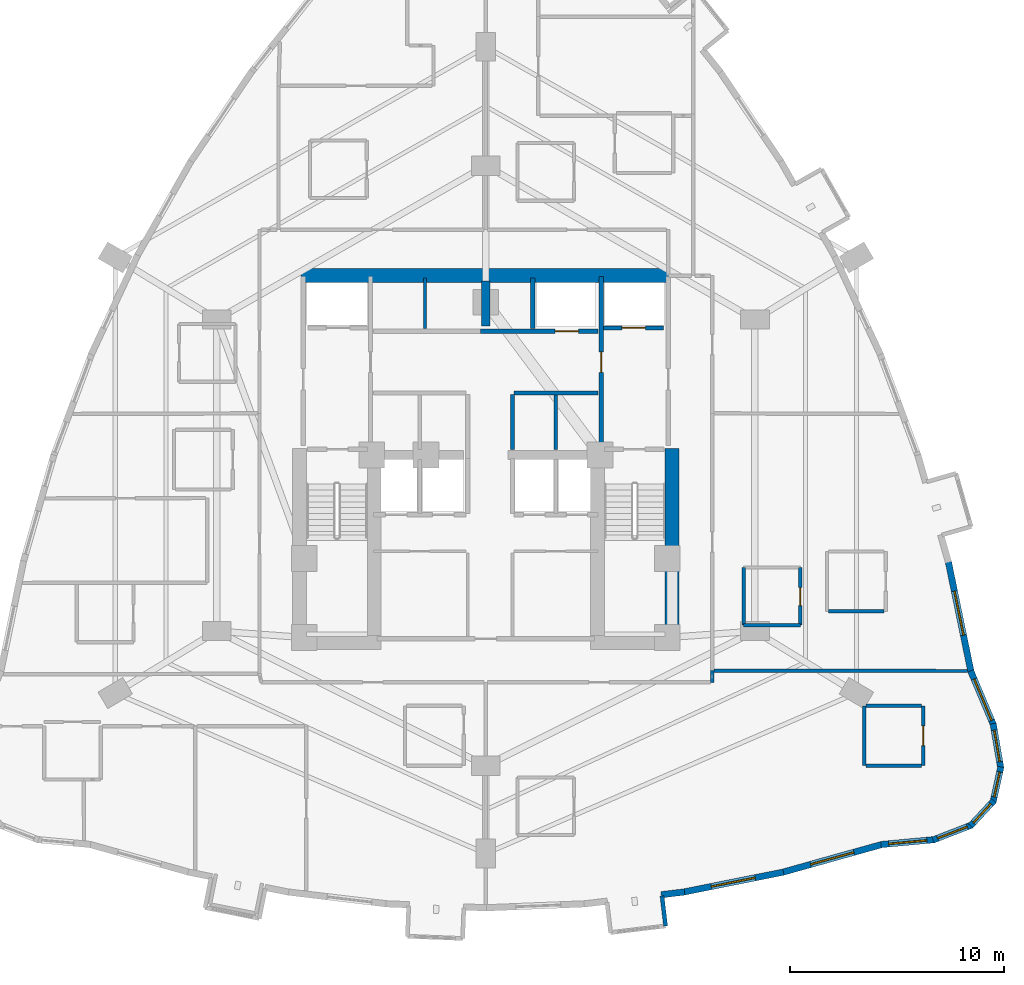
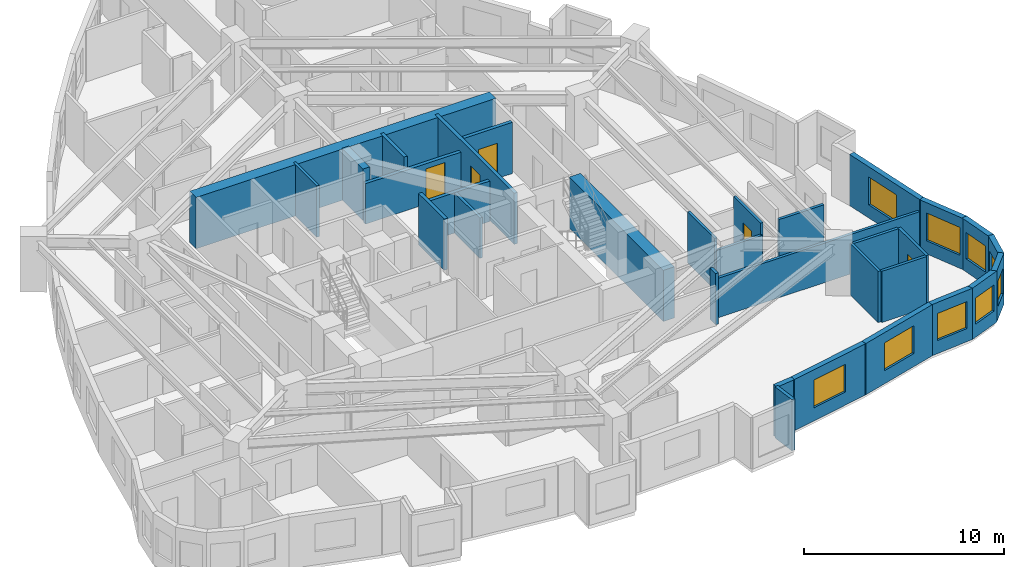
# One storey, part 10 of 14: 32 walls, 9 windows, 5 doors, 14 openings.
"""IFC4 building model written with IfcOpenShell, lengths in metres."""

from ifc_helpers import new_model, si_unit, direction, frame, frame_2d, origin, place, context, subcontext, project, spatial, rectangle, extrude, material, layer, layer_set, type_object, element, fill, save


model = new_model("IFC4")

# Units and contexts
model_context = context("Model", 3, precision=1e-05, world=origin(), true_north=direction((0.0, 1.0)))
body_context = subcontext(model_context, "Body", "Model", "MODEL_VIEW")
ifc_project = project(units=[si_unit("LENGTHUNIT", "METRE"), si_unit("AREAUNIT", "SQUARE_METRE"), si_unit("VOLUMEUNIT", "CUBIC_METRE"), si_unit("PLANEANGLEUNIT", "RADIAN"), si_unit("MASSUNIT", "GRAM", prefix="KILO")], contexts=[model_context])

# Site, building, storey
site_placement = place(None, origin())
site = spatial("IfcSite", under=ifc_project, at=site_placement, CompositionType="ELEMENT")
building_placement = place(site_placement, origin())
building = spatial("IfcBuilding", under=site, at=building_placement, Name="Miruveldt Soraemaru", CompositionType="ELEMENT")
storey_placement = place(building_placement, frame((0.0, 0.0, 80.199951171875)))
storey = spatial("IfcBuildingStorey", under=building, at=storey_placement, Name="L22", CompositionType="ELEMENT", Elevation=80.199951171875)

# Walls
ifc_material_1 = material(Name="White powder-coated aluminium EN AW-6060 T6", Category="aluminium")
ifc_layer_1 = layer(ifc_material_1, 0.18994140625, Name="White powder-coated aluminium EN AW-6060 T6", Category="aluminium")
ifc_layer_set_1 = layer_set([ifc_layer_1], Name="White powder-coated aluminium EN AW-6060 T6")
wall_type_1 = type_object("IfcWallType", Name="WALL-BAY-ALU190", PredefinedType="SOLIDWALL", material=ifc_layer_set_1)
wall_1_placement = place(storey_placement, frame((52.42138671875, 21.987060546875, 0.0), z_axis=(0.0, 0.0, 1.0), x_axis=(-0.119057405757, 0.992887372331, 0.0)))
element("IfcWall", 1, at=wall_1_placement, inside=storey, type_object=wall_type_1, Name="L22 Bay Window Side Cheek 3R", PredefinedType="SOLIDWALL", context=body_context, shape_type="SweptSolid", body=[
    extrude(rectangle(XDim=1.42529296875, YDim=0.18994140625, at=frame_2d((0.712646484375, 0.0))), origin(), (0.0, 0.0, 1.0), 3.125),
])
ifc_material_2 = material(Name="Concrete C70/85 (70 MPa)", Category="concrete")
ifc_layer_2 = layer(ifc_material_2, 0.5, Name="Concrete C70/85 (70 MPa)", Category="concrete")
ifc_layer_set_2 = layer_set([ifc_layer_2], Name="Concrete C70/85 (70 MPa)")
wall_type_2 = type_object("IfcWallType", Name="WALL-BW-500", PredefinedType="SHEAR", material=ifc_layer_set_2)
wall_2_placement = place(storey_placement, frame((44.0, 50.10009765625, 0.0), z_axis=(0.0, 0.0, 1.0), x_axis=(0.0, 1.0, 0.0)))
element("IfcWall", 2, at=wall_2_placement, inside=storey, type_object=wall_type_2, Name="L22 Core Buttress Shear Wall BN", PredefinedType="SHEAR", context=body_context, shape_type="SweptSolid", body=[
    extrude(rectangle(XDim=2.099853515625, YDim=0.39990234375, at=frame_2d((1.0498046875, 0.0))), origin(), (0.0, 0.0, 1.0), 3.125),
])
ifc_material_3 = material(Name="Concrete C80/95 (80 MPa)", Category="concrete")
ifc_layer_3 = layer(ifc_material_3, 0.64990234375, Name="Concrete C80/95 (80 MPa)", Category="concrete")
ifc_layer_set_3 = layer_set([ifc_layer_3], Name="Concrete C80/95 (80 MPa)")
wall_type_3 = type_object("IfcWallType", Name="WALL-CW-650", PredefinedType="SHEAR", material=ifc_layer_set_3)
wall_3_placement = place(storey_placement, frame((35.35009765625, 52.449951171875, 0.0), z_axis=(0.0, 0.0, 1.0), x_axis=(1.0, 0.0, 0.0)))
element("IfcWall", 3, at=wall_3_placement, inside=storey, type_object=wall_type_3, Name="L22 Central Core Shear Wall N", PredefinedType="SHEAR", context=body_context, shape_type="SweptSolid", body=[
    extrude(rectangle(XDim=17.2998046875, YDim=0.64990234375, at=frame_2d((8.64990234375, 0.0))), origin(), (0.0, 0.0, 1.0), 3.125),
])
wall_4_placement = place(storey_placement, frame((52.72509765625, 34.949951171875, 0.0), z_axis=(0.0, 0.0, 1.0), x_axis=(0.0, 1.0, 0.0)))
element("IfcWall", 4, at=wall_4_placement, inside=storey, type_object=wall_type_3, Name="L22 Central Core Shear Wall E1", PredefinedType="SHEAR", context=body_context, shape_type="SweptSolid", body=[
    extrude(rectangle(XDim=9.400146484375, YDim=0.64990234375, at=frame_2d((4.7001953125, 0.0))), origin(), (0.0, 0.0, 1.0), 3.125),
])
ifc_material_4 = material(Name="Precast concrete C45/55 (45 MPa)", Category="concrete")
ifc_layer_4 = layer(ifc_material_4, 0.300048828125, Name="Precast concrete C45/55 (45 MPa)", Category="concrete")
ifc_layer_set_4 = layer_set([ifc_layer_4], Name="Precast concrete C45/55 (45 MPa)")
wall_type_4 = type_object("IfcWallType", Name="WALL-EXT-PC300", PredefinedType="SOLIDWALL", material=ifc_layer_set_4)
wall_5_placement = place(storey_placement, frame((52.21533203125, 23.452880859375, 0.0), z_axis=(0.0, 0.0, 1.0), x_axis=(0.992870535119, 0.119197736946, 0.0)))
element("IfcWall", 5, at=wall_5_placement, inside=storey, type_object=wall_type_4, Name="L22 Precast Pier Wall 26B", PredefinedType="SOLIDWALL", context=body_context, shape_type="SweptSolid", body=[
    extrude(rectangle(XDim=1.099853515625, YDim=0.300048828125, at=frame_2d((0.5498046875, 0.0))), origin(), (0.0, 0.0, 1.0), 3.125),
])

# Wall, opening, window
wall_6_placement = place(storey_placement, frame((53.23828125, 23.572998046875, 0.0), z_axis=(0.0, 0.0, 1.0), x_axis=(0.980582632713, 0.196106349773, 0.0)))
wall_6 = element("IfcWall", 6, at=wall_6_placement, inside=storey, type_object=wall_type_4, Name="L22 Precast Concrete Facade Wall 27", PredefinedType="SOLIDWALL", context=body_context, shape_type="SweptSolid", body=[
    extrude(rectangle(XDim=4.798095703125, YDim=0.300048828125, at=frame_2d((2.39892578125, 0.0))), origin(), (0.0, 0.0, 1.0), 3.125),
])
opening_1_placement = place(wall_6_placement, frame((1.34912109375, 0.0, 0.800048828125)))
opening_1 = element("IfcOpeningElement", 7, at=opening_1_placement, cuts=wall_6, Name="Opening WN-1", PredefinedType="OPENING", context=body_context, shape_type="SweptSolid", body=[
    extrude(rectangle(XDim=2.10009765625, YDim=1.699951171875, at=frame_2d((1.050048828125, 0.85009765625))), frame((0.0, 0.16015625, 0.0), z_axis=(0.0, -1.0, 0.0), x_axis=(1.0, 0.0, 0.0)), (0.0, 0.0, 1.0), 0.320068359375),
])
ifc_material_5 = material(Name="Triple low-e insulated glazing", Category="glass")
window_type_1 = type_object("IfcWindowType", Name="WIN-PUNCH-2100x1700", PartitioningType="SINGLE_PANEL", PredefinedType="WINDOW", material=ifc_material_5)
window_1_placement = place(opening_1_placement, origin())
window_1 = element("IfcWindow", 8, at=window_1_placement, inside=storey, type_object=window_type_1, Name="L22 Punched Triple-Glazed Window 27.1", OverallHeight=1.699951171875, OverallWidth=2.10009765625, PartitioningType="SINGLE_PANEL", PredefinedType="WINDOW", context=body_context, shape_type="SweptSolid", body=[
    extrude(rectangle(XDim=2.10009765625, YDim=1.699951171875, at=frame_2d((1.050048828125, 0.85009765625))), frame((0.0, 0.030029296875, 0.0), z_axis=(0.0, -1.0, 0.0), x_axis=(1.0, 0.0, 0.0)), (0.0, 0.0, 1.0), 0.06005859375),
])
fill(opening_1, window_1)

wall_7_placement = place(storey_placement, frame((57.875244140625, 24.497802734375, 0.0), z_axis=(0.0, 0.0, 1.0), x_axis=(0.962970248778, 0.269607677873, 0.0)))
wall_7 = element("IfcWall", 9, at=wall_7_placement, inside=storey, type_object=wall_type_4, Name="L22 Precast Concrete Facade Wall 28", PredefinedType="SOLIDWALL", context=body_context, shape_type="SweptSolid", body=[
    extrude(rectangle(XDim=4.884521484375, YDim=0.300048828125, at=frame_2d((2.4423828125, 0.0))), origin(), (0.0, 0.0, 1.0), 3.125),
])
opening_2_placement = place(wall_7_placement, frame((1.39208984375, 0.0, 0.800048828125)))
opening_2 = element("IfcOpeningElement", 10, at=opening_2_placement, cuts=wall_7, Name="Opening WN-1", PredefinedType="OPENING", context=body_context, shape_type="SweptSolid", body=[
    extrude(rectangle(XDim=2.10009765625, YDim=1.699951171875, at=frame_2d((1.050048828125, 0.85009765625))), frame((0.0, 0.16015625, 0.0), z_axis=(0.0, -1.0, 0.0), x_axis=(1.0, 0.0, 0.0)), (0.0, 0.0, 1.0), 0.320068359375),
])
window_2_placement = place(opening_2_placement, origin())
window_2 = element("IfcWindow", 11, at=window_2_placement, inside=storey, type_object=window_type_1, Name="L22 Punched Triple-Glazed Window 28.1", OverallHeight=1.699951171875, OverallWidth=2.10009765625, PartitioningType="SINGLE_PANEL", PredefinedType="WINDOW", context=body_context, shape_type="SweptSolid", body=[
    extrude(rectangle(XDim=2.10009765625, YDim=1.699951171875, at=frame_2d((1.050048828125, 0.85009765625))), frame((0.0, 0.030029296875, 0.0), z_axis=(0.0, -1.0, 0.0), x_axis=(1.0, 0.0, 0.0)), (0.0, 0.0, 1.0), 0.06005859375),
])
fill(opening_2, window_2)

wall_8_placement = place(storey_placement, frame((62.51025390625, 25.802001953125, 0.0), z_axis=(0.0, 0.0, 1.0), x_axis=(0.995756157786, 0.092030833048, 0.0)))
wall_8 = element("IfcWall", 12, at=wall_8_placement, inside=storey, type_object=wall_type_4, Name="L22 Precast Concrete Facade Wall 29", PredefinedType="SOLIDWALL", context=body_context, shape_type="SweptSolid", body=[
    extrude(rectangle(XDim=2.517578125, YDim=0.300048828125, at=frame_2d((1.2587890625, 0.0))), origin(), (0.0, 0.0, 1.0), 3.125),
])
opening_3_placement = place(wall_8_placement, frame((0.35888671875, 0.0, 0.800048828125)))
opening_3 = element("IfcOpeningElement", 13, at=opening_3_placement, cuts=wall_8, Name="Opening WN-2", PredefinedType="OPENING", context=body_context, shape_type="SweptSolid", body=[
    extrude(rectangle(XDim=1.800048828125, YDim=1.64990234375, at=frame_2d((0.89990234375, 0.824951171875))), frame((0.0, 0.16015625, 0.0), z_axis=(0.0, -1.0, 0.0), x_axis=(1.0, 0.0, 0.0)), (0.0, 0.0, 1.0), 0.320068359375),
])
window_type_2 = type_object("IfcWindowType", Name="WIN-PUNCH-1800x1650", PartitioningType="SINGLE_PANEL", PredefinedType="WINDOW", material=ifc_material_5)
window_3_placement = place(opening_3_placement, origin())
window_3 = element("IfcWindow", 14, at=window_3_placement, inside=storey, type_object=window_type_2, Name="L22 Punched Triple-Glazed Window 29.1", OverallHeight=1.64990234375, OverallWidth=1.800048828125, PartitioningType="SINGLE_PANEL", PredefinedType="WINDOW", context=body_context, shape_type="SweptSolid", body=[
    extrude(rectangle(XDim=1.800048828125, YDim=1.64990234375, at=frame_2d((0.89990234375, 0.824951171875))), frame((0.0, 0.030029296875, 0.0), z_axis=(0.0, -1.0, 0.0), x_axis=(1.0, 0.0, 0.0)), (0.0, 0.0, 1.0), 0.06005859375),
])
fill(opening_3, window_3)

wall_9_placement = place(storey_placement, frame((64.94970703125, 26.017578125, 0.0), z_axis=(0.0, 0.0, 1.0), x_axis=(0.932226848531, 0.36187442971, 0.0)))
wall_9 = element("IfcWall", 15, at=wall_9_placement, inside=storey, type_object=wall_type_4, Name="L22 Precast Concrete Facade Wall 30", PredefinedType="SOLIDWALL", context=body_context, shape_type="SweptSolid", body=[
    extrude(rectangle(XDim=1.93701171875, YDim=0.300048828125, at=frame_2d((0.968505859375, 0.0))), origin(), (0.0, 0.0, 1.0), 3.125),
])
opening_4_placement = place(wall_9_placement, frame((0.218017578125, 0.0, 0.800048828125)))
opening_4 = element("IfcOpeningElement", 16, at=opening_4_placement, cuts=wall_9, Name="Opening WN-3", PredefinedType="OPENING", context=body_context, shape_type="SweptSolid", body=[
    extrude(rectangle(XDim=1.5, YDim=1.60009765625, at=frame_2d((0.75, 0.800048828125))), frame((0.0, 0.16015625, 0.0), z_axis=(0.0, -1.0, 0.0), x_axis=(1.0, 0.0, 0.0)), (0.0, 0.0, 1.0), 0.320068359375),
])
window_type_3 = type_object("IfcWindowType", Name="WIN-PUNCH-1500x1600", PartitioningType="SINGLE_PANEL", PredefinedType="WINDOW", material=ifc_material_5)
window_4_placement = place(opening_4_placement, origin())
window_4 = element("IfcWindow", 17, at=window_4_placement, inside=storey, type_object=window_type_3, Name="L22 Punched Triple-Glazed Window 30.1", OverallHeight=1.60009765625, OverallWidth=1.5, PartitioningType="SINGLE_PANEL", PredefinedType="WINDOW", context=body_context, shape_type="SweptSolid", body=[
    extrude(rectangle(XDim=1.5, YDim=1.60009765625, at=frame_2d((0.75, 0.800048828125))), frame((0.0, 0.030029296875, 0.0), z_axis=(0.0, -1.0, 0.0), x_axis=(1.0, 0.0, 0.0)), (0.0, 0.0, 1.0), 0.06005859375),
])
fill(opening_4, window_4)

wall_10_placement = place(storey_placement, frame((66.698974609375, 26.679931640625, 0.0), z_axis=(0.0, 0.0, 1.0), x_axis=(0.680153593671, 0.733069634493, 0.0)))
wall_10 = element("IfcWall", 18, at=wall_10_placement, inside=storey, type_object=wall_type_4, Name="L22 Precast Concrete Facade Wall 31", PredefinedType="SOLIDWALL", context=body_context, shape_type="SweptSolid", body=[
    extrude(rectangle(XDim=1.60546875, YDim=0.300048828125, at=frame_2d((0.802734375, 0.0))), origin(), (0.0, 0.0, 1.0), 3.125),
])
opening_5_placement = place(wall_10_placement, frame((0.202880859375, 0.0, 0.780029296875)))
opening_5 = element("IfcOpeningElement", 19, at=opening_5_placement, cuts=wall_10, Name="Opening WN-4", PredefinedType="OPENING", context=body_context, shape_type="SweptSolid", body=[
    extrude(rectangle(XDim=1.199951171875, YDim=1.550048828125, at=frame_2d((0.60009765625, 0.77490234375))), frame((0.0, 0.16015625, 0.0), z_axis=(0.0, -1.0, 0.0), x_axis=(1.0, 0.0, 0.0)), (0.0, 0.0, 1.0), 0.320068359375),
])
window_type_4 = type_object("IfcWindowType", Name="WIN-PUNCH-1200x1550", PartitioningType="SINGLE_PANEL", PredefinedType="WINDOW", material=ifc_material_5)
window_5_placement = place(opening_5_placement, origin())
window_5 = element("IfcWindow", 20, at=window_5_placement, inside=storey, type_object=window_type_4, Name="L22 Punched Triple-Glazed Window 31.1", OverallHeight=1.550048828125, OverallWidth=1.199951171875, PartitioningType="SINGLE_PANEL", PredefinedType="WINDOW", context=body_context, shape_type="SweptSolid", body=[
    extrude(rectangle(XDim=1.199951171875, YDim=1.550048828125, at=frame_2d((0.60009765625, 0.77490234375))), frame((0.0, 0.030029296875, 0.0), z_axis=(0.0, -1.0, 0.0), x_axis=(1.0, 0.0, 0.0)), (0.0, 0.0, 1.0), 0.06005859375),
])
fill(opening_5, window_5)

wall_11_placement = place(storey_placement, frame((67.759521484375, 27.797119140625, 0.0), z_axis=(0.0, 0.0, 1.0), x_axis=(0.215871143304, 0.976421860411, 0.0)))
wall_11 = element("IfcWall", 21, at=wall_11_placement, inside=storey, type_object=wall_type_4, Name="L22 Precast Concrete Facade Wall 32", PredefinedType="SOLIDWALL", context=body_context, shape_type="SweptSolid", body=[
    extrude(rectangle(XDim=1.68408203125, YDim=0.300048828125, at=frame_2d((0.842041015625, 0.0))), origin(), (0.0, 0.0, 1.0), 3.125),
])
opening_6_placement = place(wall_11_placement, frame((0.241943359375, 0.0, 0.780029296875)))
opening_6 = element("IfcOpeningElement", 22, at=opening_6_placement, cuts=wall_11, Name="Opening WN-4", PredefinedType="OPENING", context=body_context, shape_type="SweptSolid", body=[
    extrude(rectangle(XDim=1.199951171875, YDim=1.550048828125, at=frame_2d((0.60009765625, 0.77490234375))), frame((0.0, 0.16015625, 0.0), z_axis=(0.0, -1.0, 0.0), x_axis=(1.0, 0.0, 0.0)), (0.0, 0.0, 1.0), 0.320068359375),
])
window_6_placement = place(opening_6_placement, origin())
window_6 = element("IfcWindow", 23, at=window_6_placement, inside=storey, type_object=window_type_4, Name="L22 Punched Triple-Glazed Window 32.1", OverallHeight=1.550048828125, OverallWidth=1.199951171875, PartitioningType="SINGLE_PANEL", PredefinedType="WINDOW", context=body_context, shape_type="SweptSolid", body=[
    extrude(rectangle(XDim=1.199951171875, YDim=1.550048828125, at=frame_2d((0.60009765625, 0.77490234375))), frame((0.0, 0.030029296875, 0.0), z_axis=(0.0, -1.0, 0.0), x_axis=(1.0, 0.0, 0.0)), (0.0, 0.0, 1.0), 0.06005859375),
])
fill(opening_6, window_6)

wall_12_placement = place(storey_placement, frame((68.121337890625, 29.37255859375, 0.0), z_axis=(0.0, 0.0, 1.0), x_axis=(-0.169387729848, 0.985549489867, 0.0)))
wall_12 = element("IfcWall", 24, at=wall_12_placement, inside=storey, type_object=wall_type_4, Name="L22 Precast Concrete Facade Wall 33", PredefinedType="SOLIDWALL", context=body_context, shape_type="SweptSolid", body=[
    extrude(rectangle(XDim=2.1259765625, YDim=0.300048828125, at=frame_2d((1.06298828125, 0.0))), origin(), (0.0, 0.0, 1.0), 3.125),
])
opening_7_placement = place(wall_12_placement, frame((0.31298828125, 0.0, 0.800048828125)))
opening_7 = element("IfcOpeningElement", 25, at=opening_7_placement, cuts=wall_12, Name="Opening WN-3", PredefinedType="OPENING", context=body_context, shape_type="SweptSolid", body=[
    extrude(rectangle(XDim=1.5, YDim=1.60009765625, at=frame_2d((0.75, 0.800048828125))), frame((0.0, 0.16015625, 0.0), z_axis=(0.0, -1.0, 0.0), x_axis=(1.0, 0.0, 0.0)), (0.0, 0.0, 1.0), 0.320068359375),
])
window_7_placement = place(opening_7_placement, origin())
window_7 = element("IfcWindow", 26, at=window_7_placement, inside=storey, type_object=window_type_3, Name="L22 Punched Triple-Glazed Window 33.1", OverallHeight=1.60009765625, OverallWidth=1.5, PartitioningType="SINGLE_PANEL", PredefinedType="WINDOW", context=body_context, shape_type="SweptSolid", body=[
    extrude(rectangle(XDim=1.5, YDim=1.60009765625, at=frame_2d((0.75, 0.800048828125))), frame((0.0, 0.030029296875, 0.0), z_axis=(0.0, -1.0, 0.0), x_axis=(1.0, 0.0, 0.0)), (0.0, 0.0, 1.0), 0.06005859375),
])
fill(opening_7, window_7)

wall_13_placement = place(storey_placement, frame((67.78076171875, 31.40087890625, 0.0), z_axis=(0.0, 0.0, 1.0), x_axis=(-0.38859128496, 0.921410230708, 0.0)))
wall_13 = element("IfcWall", 27, at=wall_13_placement, inside=storey, type_object=wall_type_4, Name="L22 Precast Concrete Facade Wall 34", PredefinedType="SOLIDWALL", context=body_context, shape_type="SweptSolid", body=[
    extrude(rectangle(XDim=2.757568359375, YDim=0.300048828125, at=frame_2d((1.37890625, 0.0))), origin(), (0.0, 0.0, 1.0), 3.125),
])
opening_8_placement = place(wall_13_placement, frame((0.236083984375, 0.0, 0.800048828125)))
opening_8 = element("IfcOpeningElement", 28, at=opening_8_placement, cuts=wall_13, Name="Opening WN-1", PredefinedType="OPENING", context=body_context, shape_type="SweptSolid", body=[
    extrude(rectangle(XDim=2.10009765625, YDim=1.699951171875, at=frame_2d((1.050048828125, 0.85009765625))), frame((0.0, 0.16015625, 0.0), z_axis=(0.0, -1.0, 0.0), x_axis=(1.0, 0.0, 0.0)), (0.0, 0.0, 1.0), 0.320068359375),
])
window_8_placement = place(opening_8_placement, origin())
window_8 = element("IfcWindow", 29, at=window_8_placement, inside=storey, type_object=window_type_1, Name="L22 Punched Triple-Glazed Window 34.1", OverallHeight=1.699951171875, OverallWidth=2.10009765625, PartitioningType="SINGLE_PANEL", PredefinedType="WINDOW", context=body_context, shape_type="SweptSolid", body=[
    extrude(rectangle(XDim=2.10009765625, YDim=1.699951171875, at=frame_2d((1.050048828125, 0.85009765625))), frame((0.0, 0.030029296875, 0.0), z_axis=(0.0, -1.0, 0.0), x_axis=(1.0, 0.0, 0.0)), (0.0, 0.0, 1.0), 0.06005859375),
])
fill(opening_8, window_8)

wall_14_placement = place(storey_placement, frame((66.72998046875, 33.875244140625, 0.0), z_axis=(0.0, 0.0, 1.0), x_axis=(-0.20158951894, 0.979470094415, 0.0)))
wall_14 = element("IfcWall", 30, at=wall_14_placement, inside=storey, type_object=wall_type_4, Name="L22 Precast Concrete Facade Wall 35", PredefinedType="SOLIDWALL", context=body_context, shape_type="SweptSolid", body=[
    extrude(rectangle(XDim=5.323974609375, YDim=0.300048828125, at=frame_2d((2.662109375, 0.0))), origin(), (0.0, 0.0, 1.0), 3.125),
])
opening_9_placement = place(wall_14_placement, frame((1.778076171875, 0.0, 0.800048828125)))
opening_9 = element("IfcOpeningElement", 31, at=opening_9_placement, cuts=wall_14, Name="Opening WN-1", PredefinedType="OPENING", context=body_context, shape_type="SweptSolid", body=[
    extrude(rectangle(XDim=2.10009765625, YDim=1.699951171875, at=frame_2d((1.050048828125, 0.85009765625))), frame((0.0, 0.16015625, 0.0), z_axis=(0.0, -1.0, 0.0), x_axis=(1.0, 0.0, 0.0)), (0.0, 0.0, 1.0), 0.320068359375),
])
window_9_placement = place(opening_9_placement, origin())
window_9 = element("IfcWindow", 32, at=window_9_placement, inside=storey, type_object=window_type_1, Name="L22 Punched Triple-Glazed Window 35.1", OverallHeight=1.699951171875, OverallWidth=2.10009765625, PartitioningType="SINGLE_PANEL", PredefinedType="WINDOW", context=body_context, shape_type="SweptSolid", body=[
    extrude(rectangle(XDim=2.10009765625, YDim=1.699951171875, at=frame_2d((1.050048828125, 0.85009765625))), frame((0.0, 0.030029296875, 0.0), z_axis=(0.0, -1.0, 0.0), x_axis=(1.0, 0.0, 0.0)), (0.0, 0.0, 1.0), 0.06005859375),
])
fill(opening_9, window_9)

# Wall, opening, door
ifc_material_6 = material(Name="Gypsum plasterboard lining", Category="gypsum")
ifc_layer_5 = layer(ifc_material_6, 0.14990234375, Name="Gypsum plasterboard lining", Category="gypsum")
ifc_layer_set_5 = layer_set([ifc_layer_5], Name="Gypsum plasterboard lining")
wall_type_5 = type_object("IfcWallType", Name="WALL-INT-PLUMB", PredefinedType="PLUMBINGWALL", material=ifc_layer_set_5)
wall_15_placement = place(storey_placement, frame((58.72998046875, 36.080078125, 0.0), z_axis=(0.0, 0.0, 1.0), x_axis=(0.0, 1.0, 0.0)))
wall_15 = element("IfcWall", 33, at=wall_15_placement, inside=storey, type_object=wall_type_5, Name="L22 Partition Wall 86", PredefinedType="PLUMBINGWALL", context=body_context, shape_type="SweptSolid", body=[
    extrude(rectangle(XDim=2.699951171875, YDim=0.14990234375, at=frame_2d((1.35009765625, 0.0))), origin(), (0.0, 0.0, 1.0), 3.125),
])
opening_10_placement = place(wall_15_placement, frame((0.909912109375, 0.0, 0.0)))
opening_10 = element("IfcOpeningElement", 34, at=opening_10_placement, cuts=wall_15, Name="Opening FD3", PredefinedType="OPENING", context=body_context, shape_type="SweptSolid", body=[
    extrude(rectangle(XDim=0.85009765625, YDim=2.10009765625, at=frame_2d((0.425048828125, 1.050048828125))), frame((0.0, 0.0849609375, 0.0), z_axis=(0.0, -1.0, 0.0), x_axis=(1.0, 0.0, 0.0)), (0.0, 0.0, 1.0), 0.169921875),
])
ifc_material_7 = material(Name="Anodised aluminium EN AW-6063 T6", Category="aluminium")
door_type_1 = type_object("IfcDoorType", Name="DOOR-FD3-850", OperationType="NOTDEFINED", PredefinedType="DOOR", material=ifc_material_7)
door_1_placement = place(opening_10_placement, origin())
door_1 = element("IfcDoor", 35, at=door_1_placement, inside=storey, type_object=door_type_1, Name="L22 Unit CL08 BTH Door", OperationType="SINGLE_SWING_RIGHT", OverallHeight=2.10009765625, OverallWidth=0.85009765625, PredefinedType="DOOR", context=body_context, shape_type="SweptSolid", body=[
    extrude(rectangle(XDim=0.85009765625, YDim=2.10009765625, at=frame_2d((0.425048828125, 1.050048828125))), frame((0.0, 0.02490234375, 0.0), z_axis=(0.0, -1.0, 0.0), x_axis=(1.0, 0.0, 0.0)), (0.0, 0.0, 1.0), 0.050048828125),
])
fill(opening_10, door_1)

# Walls
wall_16_placement = place(storey_placement, frame((56.080078125, 38.780029296875, 0.0), z_axis=(0.0, 0.0, 1.0), x_axis=(0.0, -1.0, 0.0)))
element("IfcWall", 36, at=wall_16_placement, inside=storey, type_object=wall_type_5, Name="L22 Partition Wall 88", PredefinedType="PLUMBINGWALL", context=body_context, shape_type="SweptSolid", body=[
    extrude(rectangle(XDim=2.699951171875, YDim=0.14990234375, at=frame_2d((1.35009765625, 0.0))), origin(), (0.0, 0.0, 1.0), 3.125),
])
wall_17_placement = place(storey_placement, frame((56.080078125, 36.080078125, 0.0), z_axis=(0.0, 0.0, 1.0), x_axis=(1.0, 0.0, 0.0)))
element("IfcWall", 37, at=wall_17_placement, inside=storey, type_object=wall_type_5, Name="L22 Partition Wall 89", PredefinedType="PLUMBINGWALL", context=body_context, shape_type="SweptSolid", body=[
    extrude(rectangle(XDim=2.64990234375, YDim=0.14990234375, at=frame_2d((1.324951171875, 0.0))), origin(), (0.0, 0.0, 1.0), 2.4130859375),
])

# Wall, opening, door
ifc_material_8 = material(Name="Concrete C40/50 (40 MPa)", Category="concrete")
ifc_layer_6 = layer(ifc_material_8, 0.159912109375, Name="Concrete C40/50 (40 MPa)", Category="concrete")
ifc_layer_set_6 = layer_set([ifc_layer_6], Name="Concrete C40/50 (40 MPa)")
wall_type_6 = type_object("IfcWallType", Name="WALL-INT-RC160", PredefinedType="SOLIDWALL", material=ifc_layer_set_6)
wall_18_placement = place(storey_placement, frame((64.47998046875, 29.5, 0.0), z_axis=(0.0, 0.0, 1.0), x_axis=(0.0, 1.0, 0.0)))
wall_18 = element("IfcWall", 38, at=wall_18_placement, inside=storey, type_object=wall_type_6, Name="L22 Partition Wall 81", PredefinedType="SOLIDWALL", context=body_context, shape_type="SweptSolid", body=[
    extrude(rectangle(XDim=2.800048828125, YDim=0.159912109375, at=frame_2d((1.39990234375, 0.0))), origin(), (0.0, 0.0, 1.0), 3.125),
])
opening_11_placement = place(wall_18_placement, frame((0.93994140625, 0.0, 0.0)))
opening_11 = element("IfcOpeningElement", 39, at=opening_11_placement, cuts=wall_18, Name="Opening D3A", PredefinedType="OPENING", context=body_context, shape_type="SweptSolid", body=[
    extrude(rectangle(XDim=0.919921875, YDim=2.10009765625, at=frame_2d((0.4599609375, 1.050048828125))), frame((0.0, 0.08984375, 0.0), z_axis=(0.0, -1.0, 0.0), x_axis=(1.0, 0.0, 0.0)), (0.0, 0.0, 1.0), 0.179931640625),
])
door_type_2 = type_object("IfcDoorType", Name="DOOR-INT-920", OperationType="NOTDEFINED", PredefinedType="DOOR", material=ifc_material_7)
door_2_placement = place(opening_11_placement, origin())
door_2 = element("IfcDoor", 40, at=door_2_placement, inside=storey, type_object=door_type_2, Name="L22 Unit CL07 KIT Door", OperationType="SINGLE_SWING_RIGHT", OverallHeight=2.10009765625, OverallWidth=0.919921875, PredefinedType="DOOR", context=body_context, shape_type="SweptSolid", body=[
    extrude(rectangle(XDim=0.919921875, YDim=2.10009765625, at=frame_2d((0.4599609375, 1.050048828125))), frame((0.0, 0.02490234375, 0.0), z_axis=(0.0, -1.0, 0.0), x_axis=(1.0, 0.0, 0.0)), (0.0, 0.0, 1.0), 0.050048828125),
])
fill(opening_11, door_2)

# Walls
wall_19_placement = place(storey_placement, frame((66.550048828125, 33.93310546875, 0.0), z_axis=(0.0, 0.0, 1.0), x_axis=(-0.999998992981, 0.001419167637, 0.0)))
element("IfcWall", 41, at=wall_19_placement, inside=storey, type_object=wall_type_6, Name="L22 Partition Wall 85", PredefinedType="SOLIDWALL", context=body_context, shape_type="SweptSolid", body=[
    extrude(rectangle(XDim=11.8701171875, YDim=0.159912109375, at=frame_2d((5.93505859375, 0.0))), origin(), (0.0, 0.0, 1.0), 2.4130859375),
])
wall_20_placement = place(storey_placement, frame((61.72998046875, 32.300048828125, 0.0), z_axis=(0.0, 0.0, 1.0), x_axis=(0.0, -1.0, 0.0)))
element("IfcWall", 42, at=wall_20_placement, inside=storey, type_object=wall_type_6, Name="L22 Partition Wall 83", PredefinedType="SOLIDWALL", context=body_context, shape_type="SweptSolid", body=[
    extrude(rectangle(XDim=2.800048828125, YDim=0.159912109375, at=frame_2d((1.39990234375, 0.0))), origin(), (0.0, 0.0, 1.0), 3.125),
])
for number, where, z_axis, x_axis, name in (
    (43, (64.39990234375, 32.300048828125, 0.0), (0.0, 0.0, 1.0), (-1.0, 0.0, 0.0), "L22 Partition Wall 82"),
    (44, (61.81005859375, 29.5, 0.0), (0.0, 0.0, 1.0), (1.0, 0.0, 0.0), "L22 Partition Wall 84"),
):
    element("IfcWall", number, at=place(storey_placement, frame(where, z_axis=z_axis, x_axis=x_axis)), inside=storey, type_object=wall_type_6, Name=name, PredefinedType="SOLIDWALL", context=body_context, shape_type="SweptSolid", body=[
        extrude(rectangle(XDim=2.58984375, YDim=0.159912109375, at=frame_2d((1.294921875, 0.0))), origin(), (0.0, 0.0, 1.0), 3.125),
    ])
wall_21_placement = place(storey_placement, frame((60.06005859375, 36.72998046875, 0.0), z_axis=(0.0, 0.0, 1.0), x_axis=(1.0, 0.0, 0.0)))
element("IfcWall", 45, at=wall_21_placement, inside=storey, type_object=wall_type_6, Name="L22 Partition Wall 93", PredefinedType="SOLIDWALL", context=body_context, shape_type="SweptSolid", body=[
    extrude(rectangle(XDim=2.58984375, YDim=0.159912109375, at=frame_2d((1.294921875, 0.0))), origin(), (0.0, 0.0, 1.0), 2.512939453125),
])
wall_22_placement = place(storey_placement, frame((47.280029296875, 44.300048828125, 0.0), z_axis=(0.0, 0.0, 1.0), x_axis=(0.0, 1.0, 0.0)))
element("IfcWall", 46, at=wall_22_placement, inside=storey, type_object=wall_type_6, Name="L22 Core Compartment Wall PLM-DE", PredefinedType="SOLIDWALL", context=body_context, shape_type="SweptSolid", body=[
    extrude(rectangle(XDim=2.550048828125, YDim=0.159912109375, at=frame_2d((1.27490234375, 0.0))), origin(), (0.0, 0.0, 1.0), 2.463134765625),
])
wall_23_placement = place(storey_placement, frame((41.14990234375, 49.97998046875, 0.0), z_axis=(0.0, 0.0, 1.0), x_axis=(0.0, 1.0, 0.0)))
element("IfcWall", 47, at=wall_23_placement, inside=storey, type_object=wall_type_6, Name="L22 Core Compartment Wall PLH-DIV1", PredefinedType="SOLIDWALL", context=body_context, shape_type="SweptSolid", body=[
    extrude(rectangle(XDim=2.3701171875, YDim=0.159912109375, at=frame_2d((1.18505859375, 0.0))), origin(), (0.0, 0.0, 1.0), 3.125),
])
wall_24_placement = place(storey_placement, frame((54.60009765625, 33.39990234375, 0.0), z_axis=(0.0, 0.0, 1.0), x_axis=(0.0, 1.0, 0.0)))
element("IfcWall", 48, at=wall_24_placement, inside=storey, type_object=wall_type_6, Name="L22 Partition Wall 12", PredefinedType="SOLIDWALL", context=body_context, shape_type="SweptSolid", body=[
    extrude(rectangle(XDim=0.550048828125, YDim=0.159912109375, at=frame_2d((0.27490234375, 0.0))), origin(), (0.0, 0.0, 1.0), 3.125),
])

# Wall, opening, door
ifc_layer_7 = layer(ifc_material_8, 0.199951171875, Name="Concrete C40/50 (40 MPa)", Category="concrete")
ifc_layer_set_7 = layer_set([ifc_layer_7], Name="Concrete C40/50 (40 MPa)")
wall_type_7 = type_object("IfcWallType", Name="WALL-INT-RC200", PredefinedType="SOLIDWALL", material=ifc_layer_set_7)
wall_25_placement = place(storey_placement, frame((49.39990234375, 44.5, 0.0), z_axis=(0.0, 0.0, 1.0), x_axis=(0.0, 1.0, 0.0)))
wall_25 = element("IfcWall", 49, at=wall_25_placement, inside=storey, type_object=wall_type_7, Name="L22 Core Compartment Wall FFE-IN", PredefinedType="SOLIDWALL", context=body_context, shape_type="SweptSolid", body=[
    extrude(rectangle(XDim=7.919921875, YDim=0.199951171875, at=frame_2d((3.9599609375, 0.0))), origin(), (0.0, 0.0, 1.0), 3.125),
])
opening_12_placement = place(wall_25_placement, frame((3.425048828125, 0.0, 0.0)))
opening_12 = element("IfcOpeningElement", 50, at=opening_12_placement, cuts=wall_25, Name="Opening FD2", PredefinedType="OPENING", context=body_context, shape_type="SweptSolid", body=[
    extrude(rectangle(XDim=0.949951171875, YDim=2.14990234375, at=frame_2d((0.47509765625, 1.074951171875))), frame((0.0, 0.10986328125, 0.0), z_axis=(0.0, -1.0, 0.0), x_axis=(1.0, 0.0, 0.0)), (0.0, 0.0, 1.0), 0.219970703125),
])
door_type_3 = type_object("IfcDoorType", Name="DOOR-FD2-950", OperationType="NOTDEFINED", PredefinedType="DOOR", material=ifc_material_7)
door_3_placement = place(opening_12_placement, origin())
door_3 = element("IfcDoor", 51, at=door_3_placement, inside=storey, type_object=door_type_3, Name="L22 Lift Lobby to East Fire Lobby Door", OperationType="SINGLE_SWING_LEFT", OverallHeight=2.14990234375, OverallWidth=0.949951171875, PredefinedType="DOOR", context=body_context, shape_type="SweptSolid", body=[
    extrude(rectangle(XDim=0.949951171875, YDim=2.14990234375, at=frame_2d((0.47509765625, 1.074951171875))), frame((0.0, 0.02490234375, 0.0), z_axis=(0.0, -1.0, 0.0), x_axis=(1.0, 0.0, 0.0)), (0.0, 0.0, 1.0), 0.050048828125),
])
fill(opening_12, door_3)

wall_26_placement = place(storey_placement, frame((43.75, 49.85009765625, 0.0), z_axis=(0.0, 0.0, 1.0), x_axis=(1.0, 0.0, 0.0)))
wall_26 = element("IfcWall", 52, at=wall_26_placement, inside=storey, type_object=wall_type_7, Name="L22 Core Compartment Wall ROWA-SE", PredefinedType="SOLIDWALL", context=body_context, shape_type="SweptSolid", body=[
    extrude(rectangle(XDim=5.5, YDim=0.199951171875, at=frame_2d((2.75, 0.0))), origin(), (0.0, 0.0, 1.0), 2.463134765625),
])
opening_13_placement = place(wall_26_placement, frame((3.5, 0.0, 0.0)))
opening_13 = element("IfcOpeningElement", 53, at=opening_13_placement, cuts=wall_26, Name="Opening LD2", PredefinedType="OPENING", context=body_context, shape_type="SweptSolid", body=[
    extrude(rectangle(XDim=1.10009765625, YDim=2.14990234375, at=frame_2d((0.550048828125, 1.074951171875))), frame((0.0, 0.10986328125, 0.0), z_axis=(0.0, -1.0, 0.0), x_axis=(1.0, 0.0, 0.0)), (0.0, 0.0, 1.0), 0.219970703125),
])
door_type_4 = type_object("IfcDoorType", Name="DOOR-LD2-1100", OperationType="SLIDING_TO_LEFT", PredefinedType="DOOR", material=ifc_material_7)
door_4_placement = place(opening_13_placement, origin())
door_4 = element("IfcDoor", 54, at=door_4_placement, inside=storey, type_object=door_type_4, Name="L22 SL-1 Landing Door", OperationType="SLIDING_TO_LEFT", OverallHeight=2.14990234375, OverallWidth=1.10009765625, PredefinedType="DOOR", context=body_context, shape_type="SweptSolid", body=[
    extrude(rectangle(XDim=1.10009765625, YDim=2.14990234375, at=frame_2d((0.550048828125, 1.074951171875))), frame((0.0, 0.02490234375, 0.0), z_axis=(0.0, -1.0, 0.0), x_axis=(1.0, 0.0, 0.0)), (0.0, 0.0, 1.0), 0.050048828125),
])
fill(opening_13, door_4)

wall_27_placement = place(storey_placement, frame((49.52001953125, 50.0, 0.0), z_axis=(0.0, 0.0, 1.0), x_axis=(1.0, 0.0, 0.0)))
wall_27 = element("IfcWall", 55, at=wall_27_placement, inside=storey, type_object=wall_type_7, Name="L22 Core Compartment Wall FFL2-S", PredefinedType="SOLIDWALL", context=body_context, shape_type="SweptSolid", body=[
    extrude(rectangle(XDim=2.800048828125, YDim=0.199951171875, at=frame_2d((1.39990234375, 0.0))), origin(), (0.0, 0.0, 1.0), 3.125),
])
opening_14_placement = place(wall_27_placement, frame((0.85009765625, 0.0, 0.0)))
opening_14 = element("IfcOpeningElement", 56, at=opening_14_placement, cuts=wall_27, Name="Opening LD2", PredefinedType="OPENING", context=body_context, shape_type="SweptSolid", body=[
    extrude(rectangle(XDim=1.10009765625, YDim=2.14990234375, at=frame_2d((0.550048828125, 1.074951171875))), frame((0.0, 0.10986328125, 0.0), z_axis=(0.0, -1.0, 0.0), x_axis=(1.0, 0.0, 0.0)), (0.0, 0.0, 1.0), 0.219970703125),
])
door_5_placement = place(opening_14_placement, origin())
door_5 = element("IfcDoor", 57, at=door_5_placement, inside=storey, type_object=door_type_4, Name="L22 FFL-2 Landing Door", OperationType="SLIDING_TO_LEFT", OverallHeight=2.14990234375, OverallWidth=1.10009765625, PredefinedType="DOOR", context=body_context, shape_type="SweptSolid", body=[
    extrude(rectangle(XDim=1.10009765625, YDim=2.14990234375, at=frame_2d((0.550048828125, 1.074951171875))), frame((0.0, 0.02490234375, 0.0), z_axis=(0.0, -1.0, 0.0), x_axis=(1.0, 0.0, 0.0)), (0.0, 0.0, 1.0), 0.050048828125),
])
fill(opening_14, door_5)

# Walls
wall_28_placement = place(storey_placement, frame((45.320068359375, 46.949951171875, 0.0), z_axis=(0.0, 0.0, 1.0), x_axis=(1.0, 0.0, 0.0)))
element("IfcWall", 58, at=wall_28_placement, inside=storey, type_object=wall_type_7, Name="L22 Core Compartment Wall MBE-N", PredefinedType="SOLIDWALL", context=body_context, shape_type="SweptSolid", body=[
    extrude(rectangle(XDim=3.929931640625, YDim=0.199951171875, at=frame_2d((1.96484375, 0.0))), origin(), (0.0, 0.0, 1.0), 2.463134765625),
])
wall_29_placement = place(storey_placement, frame((45.25, 44.300048828125, 0.0), z_axis=(0.0, 0.0, 1.0), x_axis=(0.0, 1.0, 0.0)))
element("IfcWall", 59, at=wall_29_placement, inside=storey, type_object=wall_type_7, Name="L22 Core Compartment Wall SP-EB", PredefinedType="SOLIDWALL", context=body_context, shape_type="SweptSolid", body=[
    extrude(rectangle(XDim=2.579833984375, YDim=0.199951171875, at=frame_2d((1.2900390625, 0.0))), origin(), (0.0, 0.0, 1.0), 3.125),
])
wall_30_placement = place(storey_placement, frame((46.199951171875, 49.97998046875, 0.0), z_axis=(0.0, 0.0, 1.0), x_axis=(0.0, 1.0, 0.0)))
element("IfcWall", 60, at=wall_30_placement, inside=storey, type_object=wall_type_7, Name="L22 Core Compartment Wall PLH-SL-DIV", PredefinedType="SOLIDWALL", context=body_context, shape_type="SweptSolid", body=[
    extrude(rectangle(XDim=2.3701171875, YDim=0.199951171875, at=frame_2d((1.18505859375, 0.0))), origin(), (0.0, 0.0, 1.0), 3.125),
])

save(model, "model.ifc")
